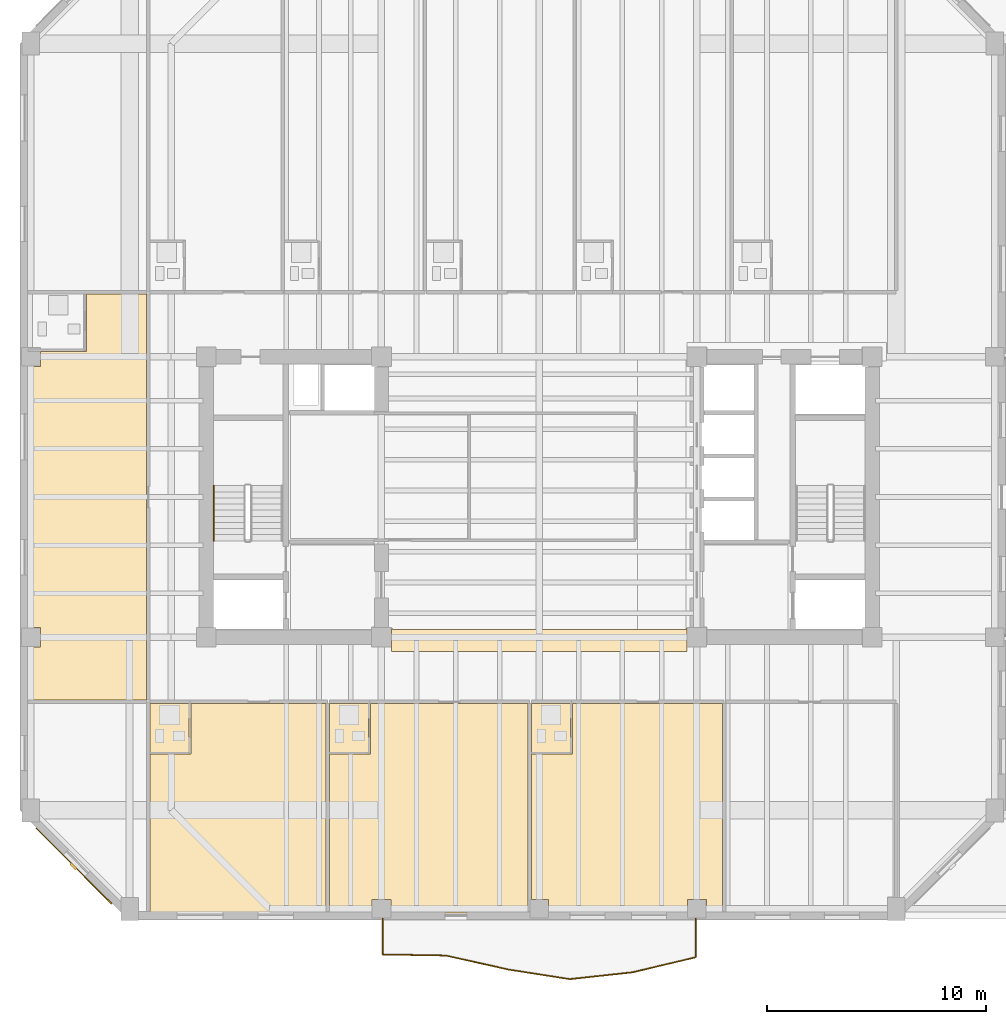
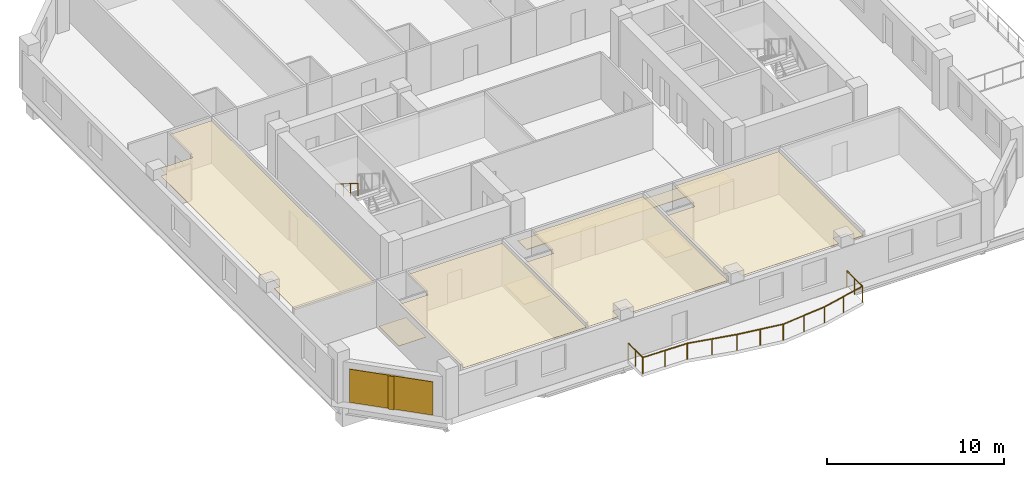
# One storey, part 7 of 11: 9 coverings, 2 railings, 1 shading device.
"""IFC4 building model written with IfcOpenShell, lengths in metres."""

from ifc_helpers import new_model, si_unit, direction, frame, origin, origin_2d, place, context, subcontext, project, spatial, polyline, rectangle, circle, outline, extrude, material, layer, layer_set, type_object, element, save


model = new_model("IFC4")

# Units and contexts
model_context = context("Model", 3, precision=1e-05, world=origin(), true_north=direction((0.0, 1.0)))
body_context = subcontext(model_context, "Body", "Model", "MODEL_VIEW")
ifc_project = project(units=[si_unit("LENGTHUNIT", "METRE"), si_unit("AREAUNIT", "SQUARE_METRE"), si_unit("VOLUMEUNIT", "CUBIC_METRE"), si_unit("PLANEANGLEUNIT", "RADIAN"), si_unit("MASSUNIT", "GRAM", prefix="KILO")], contexts=[model_context])

# Site, building, storey
site_placement = place(None, origin())
site = spatial("IfcSite", under=ifc_project, at=site_placement, CompositionType="ELEMENT")
building_placement = place(site_placement, origin())
building = spatial("IfcBuilding", under=site, at=building_placement, Name="Kranthara Brick Stack", CompositionType="ELEMENT")
storey_placement = place(building_placement, frame((0.0, 0.0, 183.300048828125)))
storey = spatial("IfcBuildingStorey", under=building, at=storey_placement, Name="L47", CompositionType="ELEMENT", Elevation=183.300048828125)

# Coverings
ifc_material_1 = material(Name="Perforated mineral-fibre acoustic ceiling tile", Category="other")
ifc_layer_1 = layer(ifc_material_1, 0.02490234375)
ifc_layer_set_1 = layer_set([ifc_layer_1], Name="Perforated mineral-fibre acoustic ceiling tile")
covering_type_1 = type_object("IfcCoveringType", Name="COV-CEIL-ACOUSTIC", PredefinedType="CEILING", material=ifc_layer_set_1)
covering_1_placement = place(storey_placement, frame((0.0, 0.0, 2.929931640625)))
element("IfcCovering", 1, at=covering_1_placement, inside=storey, type_object=covering_type_1, Name="L47 Room L47-01 Corner Junior Suite Acoustic Ceiling", PredefinedType="CEILING", context=body_context, shape_type="SweptSolid", body=[
    extrude(outline(polyline([(10.22998046875, 8.199951171875), (18.26611328125, 8.199951171875), (18.26611328125, 17.77001953125), (12.110107421875, 17.77001953125), (12.110107421875, 15.4599609375), (10.22998046875, 15.4599609375), (10.22998046875, 8.199951171875)])), origin(), (0.0, 0.0, 1.0), 0.02490234375),
])
covering_2_placement = place(storey_placement, frame((0.0, 0.0, 2.929931640625)))
element("IfcCovering", 2, at=covering_2_placement, inside=storey, type_object=covering_type_1, Name="L47 Room L47-02 Corner Junior Suite Acoustic Ceiling", PredefinedType="CEILING", context=body_context, shape_type="SweptSolid", body=[
    extrude(outline(polyline([(18.426025390625, 8.199951171875), (18.426025390625, 15.4599609375), (20.305908203125, 15.4599609375), (20.305908203125, 17.77001953125), (27.486083984375, 17.77001953125), (27.486083984375, 8.199951171875), (21.235107421875, 8.199951171875), (21.235107421875, 8.8349609375), (20.364990234375, 8.8349609375), (20.364990234375, 8.199951171875), (18.426025390625, 8.199951171875)])), origin(), (0.0, 0.0, 1.0), 0.02490234375),
])
covering_3_placement = place(storey_placement, frame((0.0, 0.0, 2.929931640625)))
element("IfcCovering", 3, at=covering_3_placement, inside=storey, type_object=covering_type_1, Name="L47 Room L47-03 Corner Junior Suite Acoustic Ceiling", PredefinedType="CEILING", context=body_context, shape_type="SweptSolid", body=[
    extrude(outline(polyline([(29.52587890625, 15.4599609375), (29.52587890625, 17.77001953125), (36.365966796875, 17.77001953125), (36.365966796875, 8.199951171875), (35.635009765625, 8.199951171875), (35.635009765625, 8.8349609375), (34.764892578125, 8.8349609375), (34.764892578125, 8.199951171875), (28.43505859375, 8.199951171875), (28.43505859375, 8.8349609375), (27.64599609375, 8.8349609375), (27.64599609375, 15.4599609375), (29.52587890625, 15.4599609375)])), origin(), (0.0, 0.0, 1.0), 0.02490234375),
])
covering_4_placement = place(storey_placement, frame((0.0, 0.0, 2.929931640625)))
element("IfcCovering", 4, at=covering_4_placement, inside=storey, type_object=covering_type_1, Name="L47 Room L47-10 Corner Junior Suite Acoustic Ceiling", PredefinedType="CEILING", context=body_context, shape_type="SweptSolid", body=[
    extrude(outline(polyline([(7.330078125, 33.840087890625), (7.330078125, 36.469970703125), (10.080078125, 36.469970703125), (10.080078125, 17.929931640625), (4.8701171875, 17.929931640625), (4.8701171875, 20.364990234375), (5.235107421875, 20.364990234375), (5.235107421875, 21.235107421875), (4.8701171875, 21.235107421875), (4.8701171875, 33.1650390625), (5.235107421875, 33.1650390625), (5.235107421875, 33.840087890625), (7.330078125, 33.840087890625)])), origin(), (0.0, 0.0, 1.0), 0.02490234375),
])
ifc_material_2 = material(Name="Warm buff kiln-fired brick slip rainscreen", Category="masonry")
ifc_layer_2 = layer(ifc_material_2, 0.044921875)
ifc_layer_set_2 = layer_set([ifc_layer_2], Name="Warm buff kiln-fired brick slip rainscreen")
covering_type_2 = type_object("IfcCoveringType", Name="COV-CLAD-BRICK", PredefinedType="CLADDING", material=ifc_layer_set_2)
covering_5_placement = place(storey_placement, frame((6.759521484375, 10.359619140625, 0.0498046875), z_axis=(0.0, 0.0, 1.0), x_axis=(-0.707106781187, 0.707106781187, 0.0)))
element("IfcCovering", 5, at=covering_5_placement, inside=storey, type_object=covering_type_2, Name="L47 Chamfer Brick Rainscreen Cladding SW", PredefinedType="CLADDING", context=body_context, shape_type="SweptSolid", body=[
    extrude(rectangle(XDim=4.89306640625, YDim=0.044921875, at=origin_2d()), origin(), (0.0, 0.0, 1.0), 2.300048828125),
])
ifc_material_3 = material(Name="Honed terrazzo and porcelain floor finish", Category="stone")
ifc_layer_3 = layer(ifc_material_3, 0.030029296875)
ifc_layer_set_3 = layer_set([ifc_layer_3], Name="Honed terrazzo and porcelain floor finish")
covering_type_3 = type_object("IfcCoveringType", Name="COV-FLOR-STONE", PredefinedType="FLOORING", material=ifc_layer_set_3)
covering_6_placement = place(storey_placement, origin())
element("IfcCovering", 6, at=covering_6_placement, inside=storey, type_object=covering_type_3, Name="L47 Lift Lobby Stone Flooring", PredefinedType="FLOORING", context=body_context, shape_type="SweptSolid", body=[
    extrude(outline(polyline([(21.25, 20.340087890625), (21.260009765625, 20.340087890625), (21.260009765625, 21.199951171875), (21.300048828125, 21.199951171875), (21.300048828125, 21.14990234375), (32.47998046875, 21.14990234375), (34.699951171875, 21.14990234375), (34.699951171875, 21.199951171875), (34.739990234375, 21.199951171875), (34.739990234375, 20.340087890625), (34.75, 20.340087890625), (34.75, 20.14990234375), (21.25, 20.14990234375), (21.25, 20.340087890625)])), origin(), (0.0, 0.0, 1.0), 0.030029296875),
])
covering_7_placement = place(storey_placement, origin())
element("IfcCovering", 7, at=covering_7_placement, inside=storey, type_object=covering_type_3, Name="L47 Wet Room Porcelain Flooring", PredefinedType="FLOORING", context=body_context, shape_type="SweptSolid", body=[
    extrude(outline(polyline([(10.22998046875, 15.52001953125), (10.22998046875, 17.77001953125), (12.010009765625, 17.77001953125), (12.010009765625, 15.52001953125), (10.22998046875, 15.52001953125)])), origin(), (0.0, 0.0, 1.0), 0.030029296875),
])
covering_8_placement = place(storey_placement, origin())
element("IfcCovering", 8, at=covering_8_placement, inside=storey, type_object=covering_type_3, Name="L47 Wet Room Porcelain Flooring", PredefinedType="FLOORING", context=body_context, shape_type="SweptSolid", body=[
    extrude(outline(polyline([(18.426025390625, 15.52001953125), (18.426025390625, 17.77001953125), (20.2060546875, 17.77001953125), (20.2060546875, 15.52001953125), (18.426025390625, 15.52001953125)])), origin(), (0.0, 0.0, 1.0), 0.030029296875),
])
covering_9_placement = place(storey_placement, origin())
element("IfcCovering", 9, at=covering_9_placement, inside=storey, type_object=covering_type_3, Name="L47 Wet Room Porcelain Flooring", PredefinedType="FLOORING", context=body_context, shape_type="SweptSolid", body=[
    extrude(outline(polyline([(27.64599609375, 15.52001953125), (27.64599609375, 17.77001953125), (29.426025390625, 17.77001953125), (29.426025390625, 15.52001953125), (27.64599609375, 15.52001953125)])), origin(), (0.0, 0.0, 1.0), 0.030029296875),
])

# Railings
ifc_material_4 = material(Name="Bronze anodised aluminium and laminated glass balustrade", Category="aluminium")
railing_type_1 = type_object("IfcRailingType", Name="RL-BALC-1120", PredefinedType="BALUSTRADE", material=ifc_material_4)
railing_1_placement = place(storey_placement, frame((35.139892578125, 7.9599609375, 0.0)))
element("IfcRailing", 10, at=railing_1_placement, inside=storey, type_object=railing_type_1, Name="L47 South Rippling Balcony Balustrade", PredefinedType="BALUSTRADE", context=body_context, shape_type="SweptSolid", body=[
    extrude(circle(Radius=0.02392578125, at=origin_2d()), frame((0.0, 0.0, 1.09619140625), z_axis=(0.0, -1.0, 0.0), x_axis=(1.0, 0.0, 0.0)), (0.0, 0.0, 1.0), 1.773193359375),
    extrude(circle(Radius=0.02392578125, at=origin_2d()), frame((0.0, -1.773193359375, 1.09619140625), z_axis=(-0.972813296182, -0.231590783003, 0.0), x_axis=(0.231590783003, -0.972813296182, 0.0)), (0.0, 0.0, 1.0), 2.959228515625),
    extrude(circle(Radius=0.02392578125, at=origin_2d()), frame((-2.878662109375, -2.45849609375, 1.09619140625), z_axis=(-0.994195551704, -0.10758812654, 0.0), x_axis=(0.10758812654, -0.994195551704, 0.0)), (0.0, 0.0, 1.0), 2.88427734375),
    extrude(circle(Radius=0.02392578125, at=origin_2d()), frame((-5.74609375, -2.768798828125, 1.09619140625), z_axis=(-0.987979346542, 0.154585933404, 0.0), x_axis=(-0.154585933404, -0.987979346542, 0.0)), (0.0, 0.0, 1.0), 2.814453125),
    extrude(circle(Radius=0.02392578125, at=origin_2d()), frame((-8.526611328125, -2.333740234375, 1.09619140625), z_axis=(-0.975999372723, 0.217773332719, 0.0), x_axis=(-0.217773332719, -0.975999372723, 0.0)), (0.0, 0.0, 1.0), 2.94384765625),
    extrude(circle(Radius=0.02392578125, at=origin_2d()), frame((-11.39990234375, -1.692626953125, 1.09619140625), z_axis=(-0.999853408864, 0.017121938673, 0.0), x_axis=(-0.017121938673, -0.999853408864, 0.0)), (0.0, 0.0, 1.0), 2.88037109375),
    extrude(circle(Radius=0.02392578125, at=origin_2d()), frame((-14.27978515625, -1.643310546875, 1.09619140625), z_axis=(0.0, 1.0, 0.0), x_axis=(-1.0, 0.0, 0.0)), (0.0, 0.0, 1.0), 1.643310546875),
    extrude(circle(Radius=0.02099609375, at=origin_2d()), origin(), (0.0, 0.0, 1.0), 1.072021484375),
    extrude(circle(Radius=0.02099609375, at=origin_2d()), frame((0.0, -0.88671875, 0.0)), (0.0, 0.0, 1.0), 1.072021484375),
    extrude(circle(Radius=0.02099609375, at=origin_2d()), frame((0.0, -1.773193359375, 0.0)), (0.0, 0.0, 1.0), 1.072021484375),
    extrude(circle(Radius=0.02099609375, at=origin_2d()), frame((-1.439453125, -2.11572265625, 0.0)), (0.0, 0.0, 1.0), 1.072021484375),
    extrude(circle(Radius=0.02099609375, at=origin_2d()), frame((-2.878662109375, -2.45849609375, 0.0)), (0.0, 0.0, 1.0), 1.072021484375),
    extrude(circle(Radius=0.02099609375, at=origin_2d()), frame((-4.3125, -2.61376953125, 0.0)), (0.0, 0.0, 1.0), 1.072021484375),
    extrude(circle(Radius=0.02099609375, at=origin_2d()), frame((-5.74609375, -2.768798828125, 0.0)), (0.0, 0.0, 1.0), 1.072021484375),
    extrude(circle(Radius=0.02099609375, at=origin_2d()), frame((-7.13623046875, -2.55126953125, 0.0)), (0.0, 0.0, 1.0), 1.072021484375),
    extrude(circle(Radius=0.02099609375, at=origin_2d()), frame((-8.526611328125, -2.333740234375, 0.0)), (0.0, 0.0, 1.0), 1.072021484375),
    extrude(circle(Radius=0.02099609375, at=origin_2d()), frame((-9.96337890625, -2.01318359375, 0.0)), (0.0, 0.0, 1.0), 1.072021484375),
    extrude(circle(Radius=0.02099609375, at=origin_2d()), frame((-11.39990234375, -1.692626953125, 0.0)), (0.0, 0.0, 1.0), 1.072021484375),
    extrude(circle(Radius=0.02099609375, at=origin_2d()), frame((-12.83984375, -1.66796875, 0.0)), (0.0, 0.0, 1.0), 1.072021484375),
    extrude(circle(Radius=0.02099609375, at=origin_2d()), frame((-14.27978515625, -1.643310546875, 0.0)), (0.0, 0.0, 1.0), 1.072021484375),
    extrude(circle(Radius=0.02099609375, at=origin_2d()), frame((-14.27978515625, -0.82177734375, 0.0)), (0.0, 0.0, 1.0), 1.072021484375),
    extrude(circle(Radius=0.02099609375, at=origin_2d()), frame((-14.27978515625, 0.0, 0.0)), (0.0, 0.0, 1.0), 1.072021484375),
])
ifc_material_5 = material(Name="Brushed stainless steel tubular handrail", Category="steel")
railing_type_2 = type_object("IfcRailingType", Name="RL-STAIR-HAND-900", PredefinedType="HANDRAIL", material=ifc_material_5)
railing_2_placement = place(storey_placement, frame((13.14990234375, 27.719970703125, 1.925048828125)))
element("IfcRailing", 11, at=railing_2_placement, inside=storey, type_object=railing_type_2, Name="L47 ST01 stair handrail 2", PredefinedType="HANDRAIL", context=body_context, shape_type="SweptSolid", body=[
    extrude(circle(Radius=0.02392578125, at=origin_2d()), frame((0.0, 0.0, 0.8759765625), z_axis=(0.0, -0.848007534815, 0.529984170421), x_axis=(1.0, 0.0, 0.0)), (0.0, 0.0, 1.0), 2.9716796875),
    extrude(circle(Radius=0.02099609375, at=origin_2d()), origin(), (0.0, 0.0, 1.0), 0.851806640625),
    extrude(circle(Radius=0.02099609375, at=origin_2d()), frame((0.0, -0.840087890625, 0.52490234375)), (0.0, 0.0, 1.0), 0.851806640625),
    extrude(circle(Radius=0.02099609375, at=origin_2d()), frame((0.0, -1.679931640625, 1.050048828125)), (0.0, 0.0, 1.0), 0.851806640625),
    extrude(circle(Radius=0.02099609375, at=origin_2d()), frame((0.0, -2.52001953125, 1.574951171875)), (0.0, 0.0, 1.0), 0.851806640625),
])

# Shading device
ifc_material_6 = material(Name="Kiln-fired terracotta aerodynamic wind fin", Category="masonry")
shading_device_type = type_object("IfcShadingDeviceType", Name="SHD-BAFFLE-CORNER", PredefinedType="SHUTTER", material=ifc_material_6)
shading_device_placement = place(storey_placement, frame((6.73828125, 10.33837890625, 0.0498046875), z_axis=(0.0, 0.0, 1.0), x_axis=(-0.707106781187, 0.707106781187, 0.0)))
element("IfcShadingDevice", 12, at=shading_device_placement, inside=storey, type_object=shading_device_type, Name="L47 Chamfer Wind-Baffle Fin SW", PredefinedType="SHUTTER", context=body_context, shape_type="SweptSolid", body=[
    extrude(rectangle(XDim=0.35009765625, YDim=0.1201171875, at=origin_2d()), origin(), (0.0, 0.0, 1.0), 2.300048828125),
])

save(model, "model.ifc")
